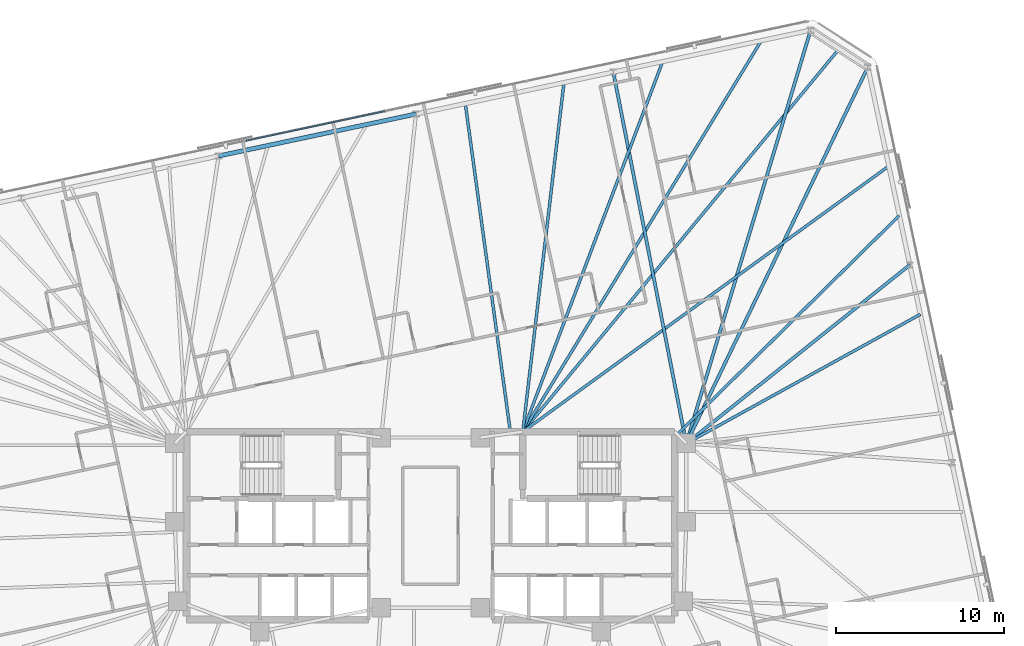
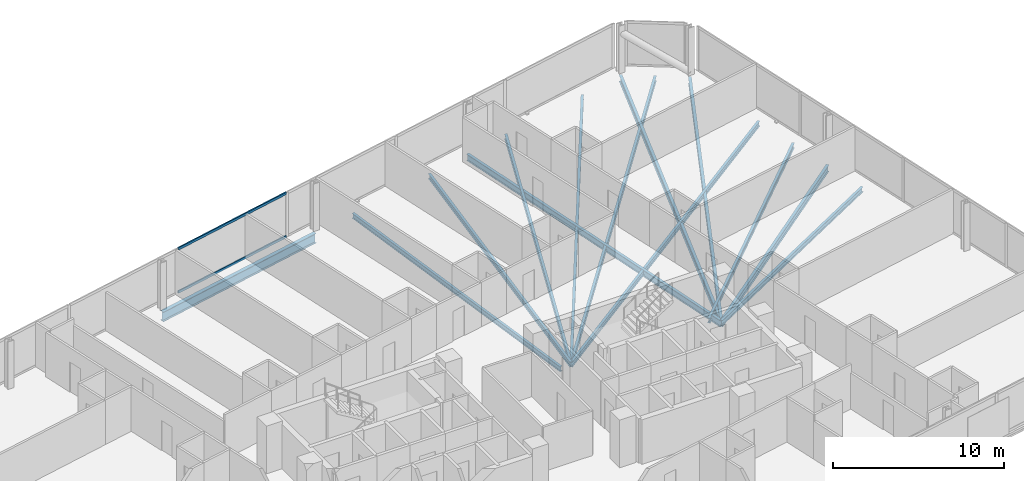
# One storey, part 10 of 20: 13 beams, 2 members, 1 element without a shape of its own.
"""IFC4 building model written with IfcOpenShell, lengths in metres."""

from ifc_helpers import new_model, si_unit, direction, frame, origin, origin_2d, place, context, subcontext, project, spatial, rectangle, i_section, extrude, material, material_profile, profile_set, type_object, element, aggregate, save


model = new_model("IFC4")

# Units and contexts
model_context = context("Model", 3, precision=1e-05, world=origin(), true_north=direction((0.0, 1.0)))
body_context = subcontext(model_context, "Body", "Model", "MODEL_VIEW")
ifc_project = project(units=[si_unit("LENGTHUNIT", "METRE"), si_unit("AREAUNIT", "SQUARE_METRE"), si_unit("VOLUMEUNIT", "CUBIC_METRE"), si_unit("PLANEANGLEUNIT", "RADIAN"), si_unit("MASSUNIT", "GRAM", prefix="KILO")], contexts=[model_context])

# Site, building, storey
site_placement = place(None, origin())
site = spatial("IfcSite", under=ifc_project, at=site_placement, CompositionType="ELEMENT")
building_placement = place(site_placement, origin())
building = spatial("IfcBuilding", under=site, at=building_placement, Name="Menara Jurai Vektor", CompositionType="ELEMENT")
storey_placement = place(building_placement, frame((0.0, 0.0, 158.199951171875)))
storey = spatial("IfcBuildingStorey", under=building, at=storey_placement, Name="L40", CompositionType="ELEMENT", Elevation=158.199951171875)

# Curtain wall, members
ifc_material_1 = material(Name="Anodised Pale Aluminium & Low-E Double Glazing", Category="aluminium")
curtain_wall_type = type_object("IfcCurtainWallType", Name="CW-BLK3", PredefinedType="NOTDEFINED", material=ifc_material_1)
curtain_wall_placement = place(storey_placement, origin())
curtain_wall = element("IfcCurtainWall", 1, at=curtain_wall_placement, inside=storey, type_object=curtain_wall_type, Name="Unitised Curtain Wall L40 F05", PredefinedType="NOTDEFINED")
ifc_material_2 = material(Name="Anodised Pale Aluminium Transom", Category="aluminium")
ifc_material_profile_1 = material_profile(ifc_material_2, rectangle(XDim=0.0849609375, YDim=0.175048828125, at=origin_2d()), Name="ALU TRN 85x175")
ifc_profile_set_1 = profile_set([ifc_material_profile_1], Name="Anodised Pale Aluminium Transom")
member_type = type_object("IfcMemberType", Name="CW-BLK3-TRN", PredefinedType="USERDEFINED", material=ifc_profile_set_1)
member_1_placement = place(storey_placement, frame((-2.716796875, 24.712890625, 0.04248046875), z_axis=(-0.978153589924, -0.207883511896, 0.0), x_axis=(0.207883511896, -0.978153589924, 0.0)))
member_1 = element("IfcMember", 2, at=member_1_placement, type_object=member_type, Name="CW-03 transom 4.1", ObjectType="TRANSOM", PredefinedType="USERDEFINED", context=body_context, shape_type="SweptSolid", body=[
    extrude(rectangle(XDim=0.0849609375, YDim=0.175048828125, at=origin_2d()), origin(), (0.0, 0.0, 1.0), 8.4921875),
])
member_2_placement = place(storey_placement, frame((-2.716796875, 24.712890625, 3.132568359375), z_axis=(-0.978153589924, -0.207883511896, 0.0), x_axis=(0.207883511896, -0.978153589924, 0.0)))
member_2 = element("IfcMember", 3, at=member_2_placement, type_object=member_type, Name="CW-03 transom 4.2", ObjectType="TRANSOM", PredefinedType="USERDEFINED", context=body_context, shape_type="SweptSolid", body=[
    extrude(rectangle(XDim=0.0849609375, YDim=0.175048828125, at=origin_2d()), origin(), (0.0, 0.0, 1.0), 8.4921875),
])
aggregate(curtain_wall, [member_1, member_2])

# Beams
ifc_material_3 = material(Name="Steel S355", Category="steel")
ifc_material_profile_2 = material_profile(ifc_material_3, i_section(OverallWidth=0.19091796875, OverallDepth=0.4599609375, WebThickness=0.010009765625, FlangeThickness=0.01611328125, FilletRadius=0.010009765625, at=origin_2d()), Name="UKB 457x191x82")
ifc_profile_set_2 = profile_set([ifc_material_profile_2], Name="Steel S355")
beam_type_1 = type_object("IfcBeamType", Name="STR-BM-457", PredefinedType="BEAM", material=ifc_profile_set_2)
beam_1_placement = place(storey_placement, frame((28.5771484375, 15.544921875, -0.454833984375), z_axis=(-0.781346163898, -0.624097886683, 0.0), x_axis=(0.624097886683, -0.781346163898, 0.0)))
element("IfcBeam", 4, at=beam_1_placement, inside=storey, type_object=beam_type_1, Name="Radial Floor Girder L40-E3", PredefinedType="BEAM", context=body_context, shape_type="SweptSolid", body=[
    extrude(i_section(OverallWidth=0.19091796875, OverallDepth=0.4599609375, WebThickness=0.010009765625, FlangeThickness=0.01611328125, FilletRadius=0.010009765625, at=origin_2d()), origin(), (0.0, 0.0, 1.0), 17.056640625),
])
beam_2_placement = place(storey_placement, frame((26.0712890625, 27.33349609375, -0.454833984375), z_axis=(-0.434465059539, -0.900688687639, 0.0), x_axis=(0.900688687639, -0.434465059539, 0.0)))
element("IfcBeam", 5, at=beam_2_placement, inside=storey, type_object=beam_type_1, Name="Radial Floor Girder L40-E4", PredefinedType="BEAM", context=body_context, shape_type="SweptSolid", body=[
    extrude(i_section(OverallWidth=0.19091796875, OverallDepth=0.4599609375, WebThickness=0.010009765625, FlangeThickness=0.01611328125, FilletRadius=0.010009765625, at=origin_2d()), origin(), (0.0, 0.0, 1.0), 24.9072265625),
])
beam_3_placement = place(storey_placement, frame((22.664794921875, 29.545654296875, -0.454833984375), z_axis=(-0.288098843548, -0.957600676872, 0.0), x_axis=(0.957600676872, -0.288098843548, 0.0)))
element("IfcBeam", 6, at=beam_3_placement, inside=storey, type_object=beam_type_1, Name="Radial Floor Girder L40-N1", PredefinedType="BEAM", context=body_context, shape_type="SweptSolid", body=[
    extrude(i_section(OverallWidth=0.19091796875, OverallDepth=0.4599609375, WebThickness=0.010009765625, FlangeThickness=0.01611328125, FilletRadius=0.010009765625, at=origin_2d()), origin(), (0.0, 0.0, 1.0), 25.737060546875),
])
beam_4_placement = place(storey_placement, frame((10.896484375, 27.044189453125, -0.454833984375), z_axis=(0.192905075816, -0.981217423268, 0.0), x_axis=(0.981217423268, 0.192905075816, 0.0)))
element("IfcBeam", 7, at=beam_4_placement, inside=storey, type_object=beam_type_1, Name="Radial Floor Girder L40-N2", PredefinedType="BEAM", context=body_context, shape_type="SweptSolid", body=[
    extrude(i_section(OverallWidth=0.19091796875, OverallDepth=0.4599609375, WebThickness=0.010009765625, FlangeThickness=0.01611328125, FilletRadius=0.010009765625, at=origin_2d()), origin(), (0.0, 0.0, 1.0), 22.568115234375),
])
ifc_material_profile_3 = material_profile(ifc_material_3, i_section(OverallWidth=0.172119140625, OverallDepth=0.35498046875, WebThickness=0.007080078125, FlangeThickness=0.011962890625, FilletRadius=0.010009765625, at=origin_2d()), Name="UKB 356x171x51")
ifc_profile_set_3 = profile_set([ifc_material_profile_3], Name="Steel S355")
beam_type_2 = type_object("IfcBeamType", Name="STR-JS-356", PredefinedType="JOIST", material=ifc_profile_set_3)
beam_5_placement = place(storey_placement, frame((29.20361328125, 12.597900390625, -0.40234375), z_axis=(-0.875592207488, -0.483051018202, 0.0), x_axis=(0.483051018202, -0.875592207488, 0.0)))
element("IfcBeam", 8, at=beam_5_placement, inside=storey, type_object=beam_type_2, Name="Radial Secondary Floor Joist L40-JS14", PredefinedType="JOIST", context=body_context, shape_type="SweptSolid", body=[
    extrude(i_section(OverallWidth=0.172119140625, OverallDepth=0.35498046875, WebThickness=0.007080078125, FlangeThickness=0.011962890625, FilletRadius=0.010009765625, at=origin_2d()), origin(), (0.0, 0.0, 1.0), 15.936279296875),
])
beam_6_placement = place(storey_placement, frame((27.95068359375, 18.4921875, -0.40234375), z_axis=(-0.712171791789, -0.702005227174, 0.0), x_axis=(0.702005227174, -0.712171791789, 0.0)))
element("IfcBeam", 9, at=beam_6_placement, inside=storey, type_object=beam_type_2, Name="Radial Secondary Floor Joist L40-JS15", PredefinedType="JOIST", context=body_context, shape_type="SweptSolid", body=[
    extrude(i_section(OverallWidth=0.172119140625, OverallDepth=0.35498046875, WebThickness=0.007080078125, FlangeThickness=0.011962890625, FilletRadius=0.010009765625, at=origin_2d()), origin(), (0.0, 0.0, 1.0), 18.5869140625),
])
beam_7_placement = place(storey_placement, frame((27.32421875, 21.439208984375, -0.40234375), z_axis=(-0.809318640486, -0.587369847848, 0.0), x_axis=(0.587369847848, -0.809318640486, 0.0)))
element("IfcBeam", 10, at=beam_7_placement, inside=storey, type_object=beam_type_2, Name="Radial Secondary Floor Joist L40-JS16", PredefinedType="JOIST", context=body_context, shape_type="SweptSolid", body=[
    extrude(i_section(OverallWidth=0.172119140625, OverallDepth=0.35498046875, WebThickness=0.007080078125, FlangeThickness=0.011962890625, FilletRadius=0.010009765625, at=origin_2d()), origin(), (0.0, 0.0, 1.0), 26.966064453125),
])
beam_8_placement = place(storey_placement, frame((24.3681640625, 28.439697265625, -0.40234375), z_axis=(-0.636894863934, -0.770950667873, 0.0), x_axis=(0.770950667873, -0.636894863934, 0.0)))
element("IfcBeam", 11, at=beam_8_placement, inside=storey, type_object=beam_type_2, Name="Radial Secondary Floor Joist L40-JS17", PredefinedType="JOIST", context=body_context, shape_type="SweptSolid", body=[
    extrude(i_section(OverallWidth=0.172119140625, OverallDepth=0.35498046875, WebThickness=0.007080078125, FlangeThickness=0.011962890625, FilletRadius=0.010009765625, at=origin_2d()), origin(), (0.0, 0.0, 1.0), 29.625244140625),
])
beam_9_placement = place(storey_placement, frame((19.72265625, 28.92041015625, -0.40234375), z_axis=(-0.520686242997, -0.8537481106, 0.0), x_axis=(0.8537481106, -0.520686242997, 0.0)))
element("IfcBeam", 12, at=beam_9_placement, inside=storey, type_object=beam_type_2, Name="Radial Secondary Floor Joist L40-JS18", PredefinedType="JOIST", context=body_context, shape_type="SweptSolid", body=[
    extrude(i_section(OverallWidth=0.172119140625, OverallDepth=0.35498046875, WebThickness=0.007080078125, FlangeThickness=0.011962890625, FilletRadius=0.010009765625, at=origin_2d()), origin(), (0.0, 0.0, 1.0), 27.315185546875),
])
beam_10_placement = place(storey_placement, frame((13.838623046875, 27.669677734375, -0.40234375), z_axis=(-0.353446048928, -0.935454910991, 0.0), x_axis=(0.935454910991, -0.353446048928, 0.0)))
element("IfcBeam", 13, at=beam_10_placement, inside=storey, type_object=beam_type_2, Name="Radial Secondary Floor Joist L40-JS19", PredefinedType="JOIST", context=body_context, shape_type="SweptSolid", body=[
    extrude(i_section(OverallWidth=0.172119140625, OverallDepth=0.35498046875, WebThickness=0.007080078125, FlangeThickness=0.011962890625, FilletRadius=0.010009765625, at=origin_2d()), origin(), (0.0, 0.0, 1.0), 23.59228515625),
])
beam_11_placement = place(storey_placement, frame((7.95458984375, 26.4189453125, -0.40234375), z_axis=(-0.117091260338, -0.99312115915, 0.0), x_axis=(0.99312115915, -0.117091260338, 0.0)))
element("IfcBeam", 14, at=beam_11_placement, inside=storey, type_object=beam_type_2, Name="Radial Secondary Floor Joist L40-JS20", PredefinedType="JOIST", context=body_context, shape_type="SweptSolid", body=[
    extrude(i_section(OverallWidth=0.172119140625, OverallDepth=0.35498046875, WebThickness=0.007080078125, FlangeThickness=0.011962890625, FilletRadius=0.010009765625, at=origin_2d()), origin(), (0.0, 0.0, 1.0), 20.963134765625),
])
beam_12_placement = place(storey_placement, frame((2.0703125, 25.168212890625, -0.40234375), z_axis=(0.135985700778, -0.990710799973, 0.0), x_axis=(0.990710799973, 0.135985700778, 0.0)))
element("IfcBeam", 15, at=beam_12_placement, inside=storey, type_object=beam_type_2, Name="Radial Secondary Floor Joist L40-JS21", PredefinedType="JOIST", context=body_context, shape_type="SweptSolid", body=[
    extrude(i_section(OverallWidth=0.172119140625, OverallDepth=0.35498046875, WebThickness=0.007080078125, FlangeThickness=0.011962890625, FilletRadius=0.010009765625, at=origin_2d()), origin(), (0.0, 0.0, 1.0), 19.852783203125),
])
ifc_material_4 = material(Name="Steel S460", Category="steel")
ifc_material_profile_4 = material_profile(ifc_material_4, i_section(OverallWidth=0.256103515625, OverallDepth=0.693115234375, WebThickness=0.013916015625, FlangeThickness=0.02392578125, FilletRadius=0.014892578125, at=origin_2d()), Name="UKB 686x254x170")
ifc_profile_set_4 = profile_set([ifc_material_profile_4], Name="Steel S460")
beam_type_3 = type_object("IfcBeamType", Name="STR-SP-686", PredefinedType="SPANDREL", material=ifc_profile_set_4)
beam_13_placement = place(storey_placement, frame((-0.87158203125, 24.54296875, -0.571533203125), z_axis=(-0.978147039247, -0.207914332389, 0.0), x_axis=(0.207914332389, -0.978147039247, 0.0)))
element("IfcBeam", 16, at=beam_13_placement, inside=storey, type_object=beam_type_3, Name="Exoskeleton Spandrel Beam L40-13", PredefinedType="SPANDREL", context=body_context, shape_type="SweptSolid", body=[
    extrude(i_section(OverallWidth=0.256103515625, OverallDepth=0.693115234375, WebThickness=0.013916015625, FlangeThickness=0.02392578125, FilletRadius=0.014892578125, at=origin_2d()), origin(), (0.0, 0.0, 1.0), 12.03125),
])

save(model, "model.ifc")
